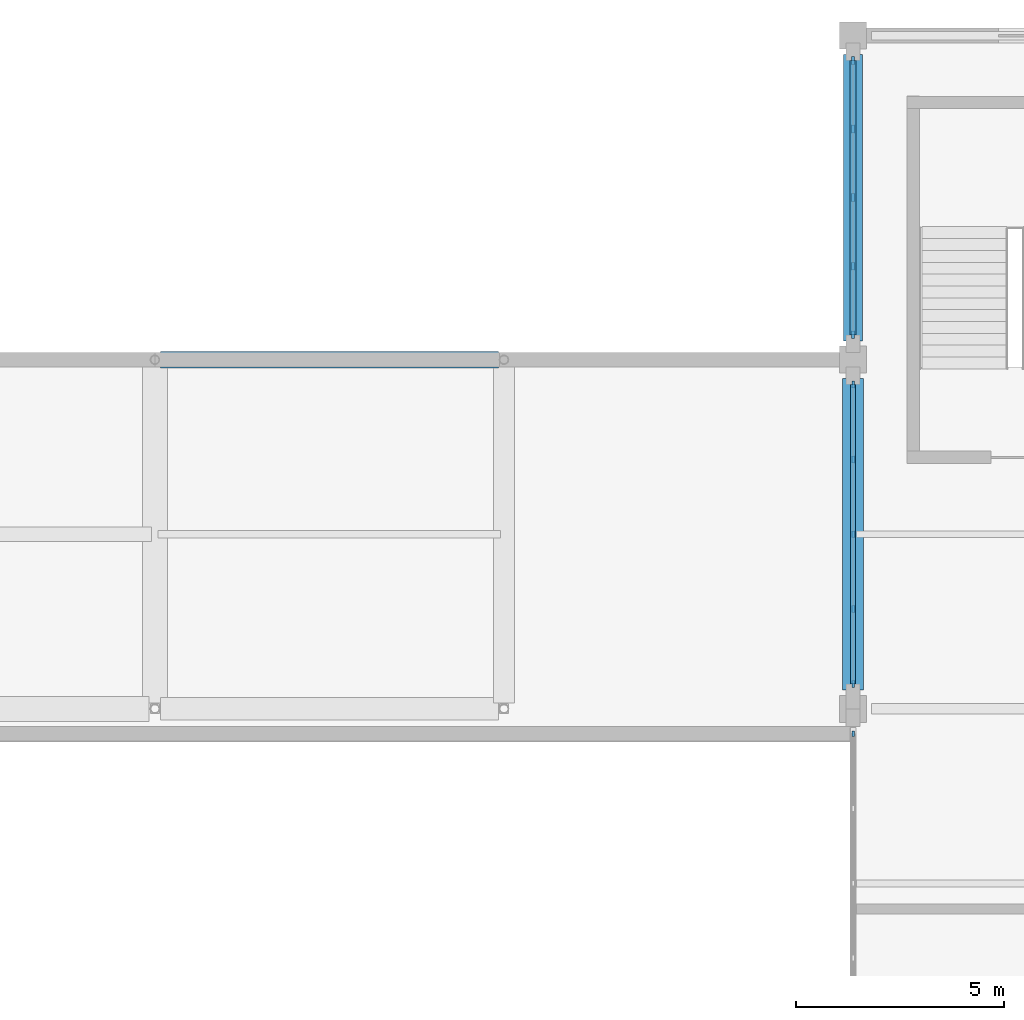
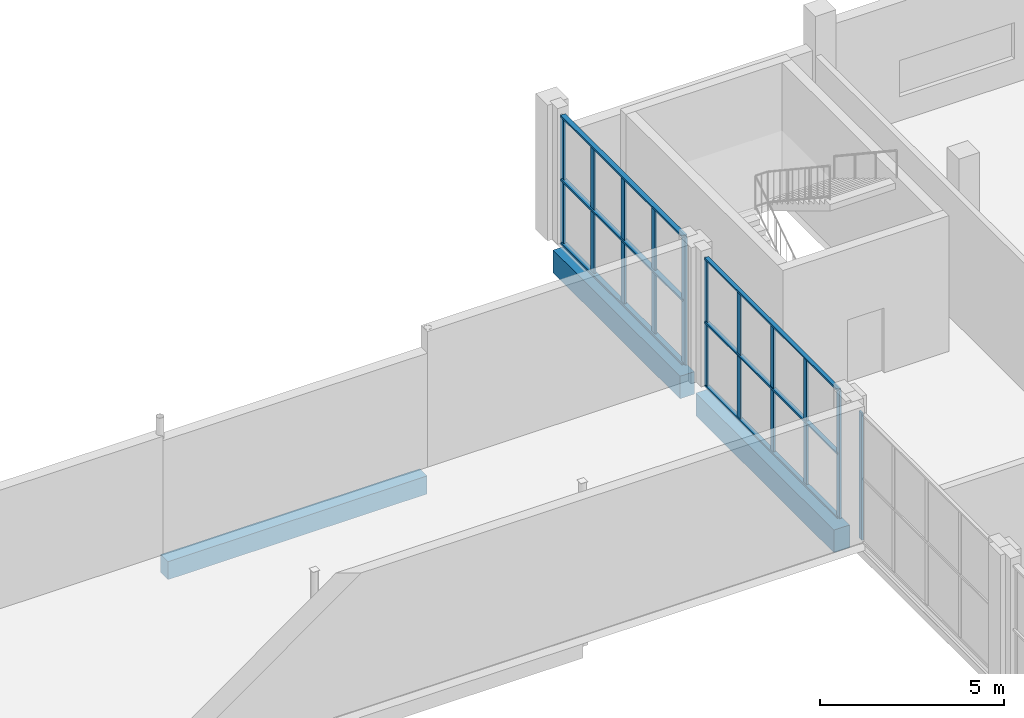
# One storey, part 39 of 75: 17 members, 3 beams, 3 elements without a shape of their own.
"""IFC4 building model written with IfcOpenShell, lengths in metres."""

from ifc_helpers import new_model, si_unit, derived_unit, direction, frame, origin, origin_2d, place, context, subcontext, project, spatial, rectangle, extrude, material, material_profile, profile_set, type_object, element, aggregate, save


model = new_model("IFC4")

# Units and contexts
model_context = context("Model", 3, precision=1e-05, world=origin(), true_north=direction((0.0, 1.0)))
body_context = subcontext(model_context, "Body", "Model", "MODEL_VIEW")
ifc_project = project(units=[si_unit("LENGTHUNIT", "METRE"), si_unit("AREAUNIT", "SQUARE_METRE"), si_unit("VOLUMEUNIT", "CUBIC_METRE"), si_unit("PLANEANGLEUNIT", "RADIAN"), si_unit("MASSUNIT", "GRAM", prefix="KILO"), derived_unit("THERMALTRANSMITTANCEUNIT", [(si_unit("POWERUNIT", "WATT"), 1), (si_unit("LENGTHUNIT", "METRE"), -2), (si_unit("THERMODYNAMICTEMPERATUREUNIT", "KELVIN"), -1)])], contexts=[model_context])

# Site, building, storey
site_placement = place(None, origin())
site = spatial("IfcSite", under=ifc_project, at=site_placement, CompositionType="ELEMENT")
building_placement = place(site_placement, origin())
building = spatial("IfcBuilding", under=site, at=building_placement, Name="Barrovel Congress Hotel", CompositionType="ELEMENT")
storey_placement = place(building_placement, frame((0.0, 0.0, 5.39990234375)))
storey = spatial("IfcBuildingStorey", under=building, at=storey_placement, Name="L01", CompositionType="ELEMENT", Elevation=5.39990234375)

# Beams
ifc_material_1 = material(Name="Concrete C40", Category="concrete")
ifc_material_profile_1 = material_profile(ifc_material_1, rectangle(XDim=0.39990234375, YDim=0.60009765625, at=origin_2d()), Name="RC400x600")
ifc_profile_set_1 = profile_set([ifc_material_profile_1], Name="Concrete C40")
beam_type_1 = type_object("IfcBeamType", Name="BM-RC400x600", PredefinedType="BEAM", material=ifc_profile_set_1)
beam_1_placement = place(storey_placement, frame((109.336669921875, 105.0, -0.559814453125), z_axis=(1.0, 0.0, 0.0), x_axis=(0.0, 1.0, 0.0)))
element("IfcBeam", 1, at=beam_1_placement, inside=storey, type_object=beam_type_1, Name="BMX:L01:105.0:109.2-117.6", PredefinedType="BEAM", context=body_context, shape_type="SweptSolid", body=[
    extrude(rectangle(XDim=0.39990234375, YDim=0.60009765625, at=origin_2d()), origin(), (0.0, 0.0, 1.0), 8.126708984375),
])
ifc_material_profile_2 = material_profile(ifc_material_1, rectangle(XDim=0.449951171875, YDim=0.75, at=origin_2d()), Name="RC450x750")
ifc_profile_set_2 = profile_set([ifc_material_profile_2], Name="Concrete C40")
beam_type_2 = type_object("IfcBeamType", Name="BM-RC450x750", PredefinedType="BEAM", material=ifc_profile_set_2)
beam_2_placement = place(storey_placement, frame((126.0, 105.449951171875, -0.635009765625), z_axis=(0.0, 1.0, 0.0), x_axis=(-1.0, 0.0, 0.0)))
element("IfcBeam", 2, at=beam_2_placement, inside=storey, type_object=beam_type_2, Name="BMY:L01:126.0:105.0-112.8", PredefinedType="BEAM", context=body_context, shape_type="SweptSolid", body=[
    extrude(rectangle(XDim=0.449951171875, YDim=0.75, at=origin_2d()), origin(), (0.0, 0.0, 1.0), 6.900146484375),
])
ifc_material_profile_3 = material_profile(ifc_material_1, rectangle(XDim=0.5, YDim=0.75, at=origin_2d()), Name="RC500x750")
ifc_profile_set_3 = profile_set([ifc_material_profile_3], Name="Concrete C40")
beam_type_3 = type_object("IfcBeamType", Name="BM-RC500x750", PredefinedType="BEAM", material=ifc_profile_set_3)
beam_3_placement = place(storey_placement, frame((126.0, 97.050048828125, -0.635009765625), z_axis=(0.0, 1.0, 0.0), x_axis=(-1.0, 0.0, 0.0)))
element("IfcBeam", 3, at=beam_3_placement, inside=storey, type_object=beam_type_3, Name="BMY:L01:126.0:96.6-105.0", PredefinedType="BEAM", context=body_context, shape_type="SweptSolid", body=[
    extrude(rectangle(XDim=0.5, YDim=0.75, at=origin_2d()), origin(), (0.0, 0.0, 1.0), 7.5),
])

# Curtain wall, member
ifc_material_2 = material(Name="Anodised Aluminium Alloy 6063-T6", Category="aluminium")
curtain_wall_type = type_object("IfcCurtainWallType", Name="CW-ST-7200x3600", PredefinedType="USERDEFINED", material=ifc_material_2)
curtain_wall_1_placement = place(storey_placement, origin())
curtain_wall_1 = element("IfcCurtainWall", 4, at=curtain_wall_1_placement, inside=storey, type_object=curtain_wall_type, Name="CW:L01:CE:88.2", ObjectType="STICK CURTAIN WALL", PredefinedType="USERDEFINED")
ifc_material_profile_4 = material_profile(ifc_material_2, rectangle(XDim=0.06005859375, YDim=0.139892578125, at=origin_2d()), Name="AL-M60x140")
ifc_profile_set_4 = profile_set([ifc_material_profile_4], Name="Anodised Aluminium Alloy 6063-T6")
member_type_1 = type_object("IfcMemberType", Name="CWM-AL-M60x140", PredefinedType="MULLION", material=ifc_profile_set_4)
member_1_placement = place(storey_placement, frame((126.0, 96.0, 0.0), z_axis=(0.0, 0.0, 1.0), x_axis=(1.0, 0.0, 0.0)))
member_1 = element("IfcMember", 5, at=member_1_placement, type_object=member_type_1, Name="CW:L01:CE:88.2:M0", PredefinedType="MULLION", context=body_context, shape_type="SweptSolid", body=[
    extrude(rectangle(XDim=0.06005859375, YDim=0.139892578125, at=origin_2d()), origin(), (0.0, 0.0, 1.0), 4.22021484375),
])
aggregate(curtain_wall_1, [member_1])

# Curtain wall, members
curtain_wall_2_placement = place(storey_placement, origin())
curtain_wall_2 = element("IfcCurtainWall", 6, at=curtain_wall_2_placement, inside=storey, type_object=curtain_wall_type, Name="CW:L01:CE:96.6", ObjectType="STICK CURTAIN WALL", PredefinedType="USERDEFINED")
ifc_material_profile_5 = material_profile(ifc_material_2, rectangle(XDim=0.06005859375, YDim=0.1650390625, at=origin_2d()), Name="AL-M60x165")
ifc_profile_set_5 = profile_set([ifc_material_profile_5], Name="Anodised Aluminium Alloy 6063-T6")
member_type_2 = type_object("IfcMemberType", Name="CWM-AL-M60x165", PredefinedType="MULLION", material=ifc_profile_set_5)
member_2_placement = place(storey_placement, frame((126.0, 104.39990234375, 0.0), z_axis=(0.0, 0.0, 1.0), x_axis=(1.0, 0.0, 0.0)))
member_2 = element("IfcMember", 7, at=member_2_placement, type_object=member_type_2, Name="CW:L01:CE:96.6:M0", PredefinedType="MULLION", context=body_context, shape_type="SweptSolid", body=[
    extrude(rectangle(XDim=0.06005859375, YDim=0.1650390625, at=origin_2d()), origin(), (0.0, 0.0, 1.0), 4.22021484375),
])
member_3_placement = place(storey_placement, frame((126.0, 102.60009765625, 0.0), z_axis=(0.0, 0.0, 1.0), x_axis=(1.0, 0.0, 0.0)))
member_3 = element("IfcMember", 8, at=member_3_placement, type_object=member_type_2, Name="CW:L01:CE:96.6:M1", PredefinedType="MULLION", context=body_context, shape_type="SweptSolid", body=[
    extrude(rectangle(XDim=0.06005859375, YDim=0.1650390625, at=origin_2d()), origin(), (0.0, 0.0, 1.0), 4.22021484375),
])
member_4_placement = place(storey_placement, frame((126.0, 100.800048828125, 0.0), z_axis=(0.0, 0.0, 1.0), x_axis=(1.0, 0.0, 0.0)))
member_4 = element("IfcMember", 9, at=member_4_placement, type_object=member_type_2, Name="CW:L01:CE:96.6:M2", PredefinedType="MULLION", context=body_context, shape_type="SweptSolid", body=[
    extrude(rectangle(XDim=0.06005859375, YDim=0.1650390625, at=origin_2d()), origin(), (0.0, 0.0, 1.0), 4.22021484375),
])
member_5_placement = place(storey_placement, frame((126.0, 99.0, 0.0), z_axis=(0.0, 0.0, 1.0), x_axis=(1.0, 0.0, 0.0)))
member_5 = element("IfcMember", 10, at=member_5_placement, type_object=member_type_2, Name="CW:L01:CE:96.6:M3", PredefinedType="MULLION", context=body_context, shape_type="SweptSolid", body=[
    extrude(rectangle(XDim=0.06005859375, YDim=0.1650390625, at=origin_2d()), origin(), (0.0, 0.0, 1.0), 4.22021484375),
])
member_6_placement = place(storey_placement, frame((126.0, 97.199951171875, 0.0), z_axis=(0.0, 0.0, 1.0), x_axis=(1.0, 0.0, 0.0)))
member_6 = element("IfcMember", 11, at=member_6_placement, type_object=member_type_2, Name="CW:L01:CE:96.6:M4", PredefinedType="MULLION", context=body_context, shape_type="SweptSolid", body=[
    extrude(rectangle(XDim=0.06005859375, YDim=0.1650390625, at=origin_2d()), origin(), (0.0, 0.0, 1.0), 4.22021484375),
])

curtain_wall_3_placement = place(storey_placement, origin())
curtain_wall_3 = element("IfcCurtainWall", 12, at=curtain_wall_3_placement, inside=storey, type_object=curtain_wall_type, Name="CW:L01:CE:105.0", ObjectType="STICK CURTAIN WALL", PredefinedType="USERDEFINED")
ifc_material_profile_6 = material_profile(ifc_material_2, rectangle(XDim=0.06494140625, YDim=0.18994140625, at=origin_2d()), Name="AL-M65x190")
ifc_profile_set_6 = profile_set([ifc_material_profile_6], Name="Anodised Aluminium Alloy 6063-T6")
member_type_3 = type_object("IfcMemberType", Name="CWM-AL-M65x190", PredefinedType="MULLION", material=ifc_profile_set_6)
member_7_placement = place(storey_placement, frame((126.0, 112.199951171875, 0.0), z_axis=(0.0, 0.0, 1.0), x_axis=(1.0, 0.0, 0.0)))
member_7 = element("IfcMember", 13, at=member_7_placement, type_object=member_type_3, Name="CW:L01:CE:105.0:M0", PredefinedType="MULLION", context=body_context, shape_type="SweptSolid", body=[
    extrude(rectangle(XDim=0.06494140625, YDim=0.18994140625, at=origin_2d()), origin(), (0.0, 0.0, 1.0), 4.22021484375),
])
member_8_placement = place(storey_placement, frame((126.0, 110.550048828125, 0.0), z_axis=(0.0, 0.0, 1.0), x_axis=(1.0, 0.0, 0.0)))
member_8 = element("IfcMember", 14, at=member_8_placement, type_object=member_type_3, Name="CW:L01:CE:105.0:M1", PredefinedType="MULLION", context=body_context, shape_type="SweptSolid", body=[
    extrude(rectangle(XDim=0.06494140625, YDim=0.18994140625, at=origin_2d()), origin(), (0.0, 0.0, 1.0), 4.22021484375),
])
member_9_placement = place(storey_placement, frame((126.0, 108.89990234375, 0.0), z_axis=(0.0, 0.0, 1.0), x_axis=(1.0, 0.0, 0.0)))
member_9 = element("IfcMember", 15, at=member_9_placement, type_object=member_type_3, Name="CW:L01:CE:105.0:M2", PredefinedType="MULLION", context=body_context, shape_type="SweptSolid", body=[
    extrude(rectangle(XDim=0.06494140625, YDim=0.18994140625, at=origin_2d()), origin(), (0.0, 0.0, 1.0), 4.22021484375),
])
member_10_placement = place(storey_placement, frame((126.0, 107.25, 0.0), z_axis=(0.0, 0.0, 1.0), x_axis=(1.0, 0.0, 0.0)))
member_10 = element("IfcMember", 16, at=member_10_placement, type_object=member_type_3, Name="CW:L01:CE:105.0:M3", PredefinedType="MULLION", context=body_context, shape_type="SweptSolid", body=[
    extrude(rectangle(XDim=0.06494140625, YDim=0.18994140625, at=origin_2d()), origin(), (0.0, 0.0, 1.0), 4.22021484375),
])
member_11_placement = place(storey_placement, frame((126.0, 105.60009765625, 0.0), z_axis=(0.0, 0.0, 1.0), x_axis=(1.0, 0.0, 0.0)))
member_11 = element("IfcMember", 17, at=member_11_placement, type_object=member_type_3, Name="CW:L01:CE:105.0:M4", PredefinedType="MULLION", context=body_context, shape_type="SweptSolid", body=[
    extrude(rectangle(XDim=0.06494140625, YDim=0.18994140625, at=origin_2d()), origin(), (0.0, 0.0, 1.0), 4.22021484375),
])

# Member
ifc_material_profile_7 = material_profile(ifc_material_2, rectangle(XDim=0.125, YDim=0.06005859375, at=origin_2d()), Name="AL-T60x125")
ifc_profile_set_7 = profile_set([ifc_material_profile_7], Name="Anodised Aluminium Alloy 6063-T6")
member_type_4 = type_object("IfcMemberType", Name="CWT-AL-T60x125", PredefinedType="USERDEFINED", material=ifc_profile_set_7)
member_12_placement = place(storey_placement, frame((126.0, 104.39990234375, 0.0), z_axis=(0.0, -1.0, 0.0), x_axis=(1.0, 0.0, 0.0)))
member_12 = element("IfcMember", 18, at=member_12_placement, type_object=member_type_4, Name="CW:L01:CE:96.6:T0", ObjectType="TRANSOM", PredefinedType="USERDEFINED", context=body_context, shape_type="SweptSolid", body=[
    extrude(rectangle(XDim=0.125, YDim=0.06005859375, at=origin_2d()), origin(), (0.0, 0.0, 1.0), 7.199951171875),
])

member_13_placement = place(storey_placement, frame((126.0, 104.39990234375, 2.110107421875), z_axis=(0.0, -1.0, 0.0), x_axis=(1.0, 0.0, 0.0)))
member_13 = element("IfcMember", 19, at=member_13_placement, type_object=member_type_4, Name="CW:L01:CE:96.6:T1", ObjectType="TRANSOM", PredefinedType="USERDEFINED", context=body_context, shape_type="SweptSolid", body=[
    extrude(rectangle(XDim=0.125, YDim=0.06005859375, at=origin_2d()), origin(), (0.0, 0.0, 1.0), 7.199951171875),
])

member_14_placement = place(storey_placement, frame((126.0, 104.39990234375, 4.22021484375), z_axis=(0.0, -1.0, 0.0), x_axis=(1.0, 0.0, 0.0)))
member_14 = element("IfcMember", 20, at=member_14_placement, type_object=member_type_4, Name="CW:L01:CE:96.6:T2", ObjectType="TRANSOM", PredefinedType="USERDEFINED", context=body_context, shape_type="SweptSolid", body=[
    extrude(rectangle(XDim=0.125, YDim=0.06005859375, at=origin_2d()), origin(), (0.0, 0.0, 1.0), 7.199951171875),
])

aggregate(curtain_wall_2, [member_2, member_3, member_4, member_5, member_6, member_12, member_13, member_14])

ifc_material_profile_8 = material_profile(ifc_material_2, rectangle(XDim=0.14990234375, YDim=0.06494140625, at=origin_2d()), Name="AL-T65x150")
ifc_profile_set_8 = profile_set([ifc_material_profile_8], Name="Anodised Aluminium Alloy 6063-T6")
member_type_5 = type_object("IfcMemberType", Name="CWT-AL-T65x150", PredefinedType="USERDEFINED", material=ifc_profile_set_8)
member_15_placement = place(storey_placement, frame((126.0, 112.199951171875, 0.0), z_axis=(0.0, -1.0, 0.0), x_axis=(1.0, 0.0, 0.0)))
member_15 = element("IfcMember", 21, at=member_15_placement, type_object=member_type_5, Name="CW:L01:CE:105.0:T0", ObjectType="TRANSOM", PredefinedType="USERDEFINED", context=body_context, shape_type="SweptSolid", body=[
    extrude(rectangle(XDim=0.14990234375, YDim=0.06494140625, at=origin_2d()), origin(), (0.0, 0.0, 1.0), 6.599853515625),
])

member_16_placement = place(storey_placement, frame((126.0, 112.199951171875, 2.110107421875), z_axis=(0.0, -1.0, 0.0), x_axis=(1.0, 0.0, 0.0)))
member_16 = element("IfcMember", 22, at=member_16_placement, type_object=member_type_5, Name="CW:L01:CE:105.0:T1", ObjectType="TRANSOM", PredefinedType="USERDEFINED", context=body_context, shape_type="SweptSolid", body=[
    extrude(rectangle(XDim=0.14990234375, YDim=0.06494140625, at=origin_2d()), origin(), (0.0, 0.0, 1.0), 6.599853515625),
])

member_17_placement = place(storey_placement, frame((126.0, 112.199951171875, 4.22021484375), z_axis=(0.0, -1.0, 0.0), x_axis=(1.0, 0.0, 0.0)))
member_17 = element("IfcMember", 23, at=member_17_placement, type_object=member_type_5, Name="CW:L01:CE:105.0:T2", ObjectType="TRANSOM", PredefinedType="USERDEFINED", context=body_context, shape_type="SweptSolid", body=[
    extrude(rectangle(XDim=0.14990234375, YDim=0.06494140625, at=origin_2d()), origin(), (0.0, 0.0, 1.0), 6.599853515625),
])

aggregate(curtain_wall_3, [member_7, member_8, member_9, member_10, member_11, member_15, member_16, member_17])

save(model, "model.ifc")
